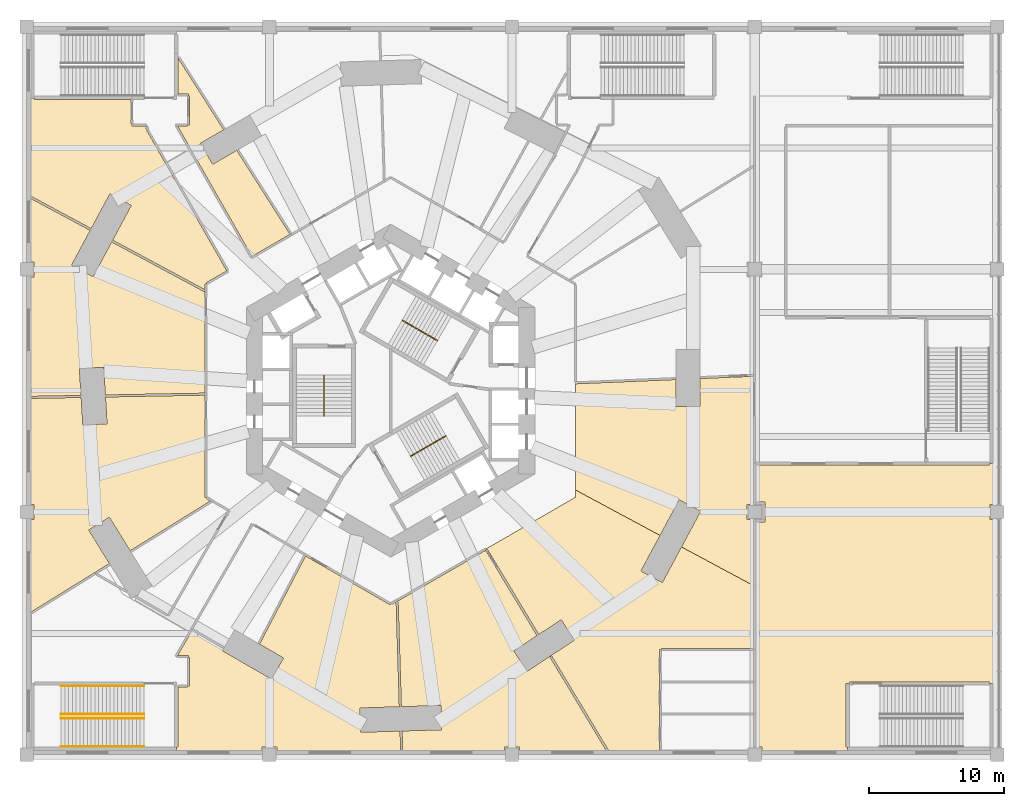
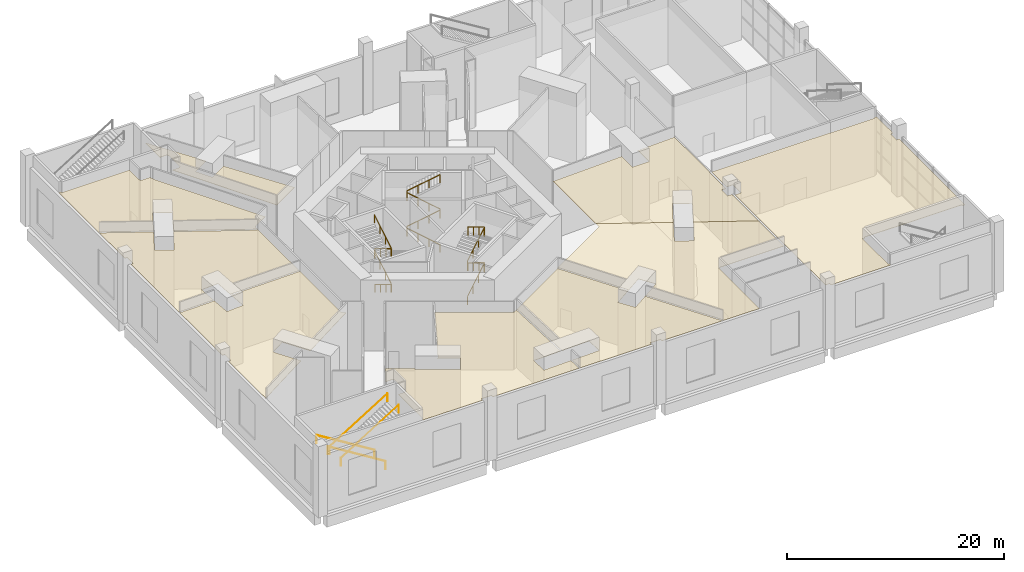
# One storey, part 14 of 15: 9 coverings, 7 railings.
"""IFC4 building model written with IfcOpenShell, lengths in metres."""

from ifc_helpers import new_model, si_unit, direction, frame, origin, origin_2d, place, context, subcontext, project, spatial, polyline, circle, outline, extrude, material, layer, layer_set, type_object, element, save


model = new_model("IFC4")

# Units and contexts
model_context = context("Model", 3, precision=1e-05, world=origin(), true_north=direction((0.0, 1.0)))
body_context = subcontext(model_context, "Body", "Model", "MODEL_VIEW")
ifc_project = project(units=[si_unit("LENGTHUNIT", "METRE"), si_unit("AREAUNIT", "SQUARE_METRE"), si_unit("VOLUMEUNIT", "CUBIC_METRE"), si_unit("PLANEANGLEUNIT", "RADIAN"), si_unit("MASSUNIT", "GRAM", prefix="KILO")], contexts=[model_context])

# Site, building, storey
site_placement = place(None, origin())
site = spatial("IfcSite", under=ifc_project, at=site_placement, CompositionType="ELEMENT")
building_placement = place(site_placement, origin())
building = spatial("IfcBuilding", under=site, at=building_placement, Name="Vanh Sen Convention Tower", CompositionType="ELEMENT")
storey_placement = place(building_placement, frame((0.0, 0.0, 21.0)))
storey = spatial("IfcBuildingStorey", under=building, at=storey_placement, Name="L03", CompositionType="ELEMENT", Elevation=21.0)

# Railings
ifc_material_1 = material(Name="Stainless steel", Category="steel")
railing_type_1 = type_object("IfcRailingType", Name="Podium handrail 900", PredefinedType="HANDRAIL", material=ifc_material_1)
for number, where, name in (
    (1, (-18.300048828125, -21.89990234375, 0.173828125), "Handrail PS6 L03"),
    (2, (-18.300048828125, -24.0, 0.173828125), "Handrail PS6 L03"),
):
    element("IfcRailing", number, at=place(storey_placement, frame(where)), inside=storey, type_object=railing_type_1, Name=name, PredefinedType="HANDRAIL", context=body_context, shape_type="SweptSolid", body=[
        extrude(circle(Radius=0.02392578125, at=origin_2d()), frame((0.0, 0.0, 0.8759765625), z_axis=(-0.849468459523, 0.0, 0.527639399851), x_axis=(0.0, -1.0, 0.0)), (0.0, 0.0, 1.0), 7.25146484375),
        extrude(circle(Radius=0.02099609375, at=origin_2d()), origin(), (0.0, 0.0, 1.0), 0.851806640625),
        extrude(circle(Radius=0.02099609375, at=origin_2d()), frame((-6.159912109375, 0.0, 3.826171875)), (0.0, 0.0, 1.0), 0.851806640625),
    ])
for number, where, name in (
    (3, (-24.4599609375, -26.39990234375, 4.173828125), "Handrail PS6 L03"),
    (4, (-24.4599609375, -24.300048828125, 4.173828125), "Handrail PS6 L03"),
):
    element("IfcRailing", number, at=place(storey_placement, frame(where)), inside=storey, type_object=railing_type_1, Name=name, PredefinedType="HANDRAIL", context=body_context, shape_type="SweptSolid", body=[
        extrude(circle(Radius=0.02392578125, at=origin_2d()), frame((0.0, 0.0, 0.8759765625), z_axis=(0.849468459523, 0.0, 0.527639399851), x_axis=(0.0, 1.0, 0.0)), (0.0, 0.0, 1.0), 7.25146484375),
        extrude(circle(Radius=0.02099609375, at=origin_2d()), origin(), (0.0, 0.0, 1.0), 0.851806640625),
        extrude(circle(Radius=0.02099609375, at=origin_2d()), frame((6.159912109375, 0.0, 3.826171875)), (0.0, 0.0, 1.0), 0.851806640625),
    ])
ifc_material_2 = material(Name="Stainless steel handrail", Category="steel")
railing_type_2 = type_object("IfcRailingType", Name="Stair handrail 900", PredefinedType="HANDRAIL", material=ifc_material_2)
railing_1_placement = place(storey_placement, frame((3.45849609375, 3.690185546875, 0.166748046875)))
element("IfcRailing", 5, at=railing_1_placement, inside=storey, type_object=railing_type_2, Name="Stair handrail ST1 L03", PredefinedType="HANDRAIL", context=body_context, shape_type="SweptSolid", body=[
    extrude(circle(Radius=0.02392578125, at=origin_2d()), frame((0.0, 0.0, 0.8759765625), z_axis=(-0.740654910014, 0.427579644724, 0.518272082685), x_axis=(-0.49996696679, -0.866044474677, 0.0)), (0.0, 0.0, 1.0), 3.537353515625),
    extrude(circle(Radius=0.02392578125, at=origin_2d()), frame((-2.619873046875, 1.512451171875, 2.708984375), z_axis=(0.500844580232, 0.86553723574, 0.0), x_axis=(-0.86553723574, 0.500844580232, 0.0)), (0.0, 0.0, 1.0), 0.05029296875),
    extrude(circle(Radius=0.02392578125, at=origin_2d()), frame((-2.5947265625, 1.555908203125, 2.708984375), z_axis=(0.0, 0.0, 1.0), x_axis=(1.0, 0.0, 0.0)), (0.0, 0.0, 1.0), 0.166748046875),
    extrude(circle(Radius=0.02392578125, at=origin_2d()), frame((-2.5947265625, 1.555908203125, 2.8759765625), z_axis=(0.740601889828, -0.427657903949, 0.518283279657), x_axis=(0.500062442642, 0.865989349507, 0.0)), (0.0, 0.0, 1.0), 3.537109375),
    extrude(circle(Radius=0.02392578125, at=origin_2d()), frame((0.02490234375, 0.043212890625, 4.708984375), z_axis=(-0.499298623879, -0.866429964967, 0.0), x_axis=(0.866429964967, -0.499298623879, 0.0)), (0.0, 0.0, 1.0), 0.0498046875),
    extrude(circle(Radius=0.02392578125, at=origin_2d()), frame((0.0, 0.0, 4.708984375), z_axis=(0.0, 0.0, 1.0), x_axis=(1.0, 0.0, 0.0)), (0.0, 0.0, 1.0), 0.166748046875),
    extrude(circle(Radius=0.02392578125, at=origin_2d()), frame((0.0, 0.0, 4.8759765625), z_axis=(-0.740654910014, 0.427579644724, 0.518272082685), x_axis=(-0.49996696679, -0.866044474677, 0.0)), (0.0, 0.0, 1.0), 3.537353515625),
    extrude(circle(Radius=0.02392578125, at=origin_2d()), frame((-2.619873046875, 1.512451171875, 6.708984375), z_axis=(0.500844580232, 0.86553723574, 0.0), x_axis=(-0.86553723574, 0.500844580232, 0.0)), (0.0, 0.0, 1.0), 0.05029296875),
    extrude(circle(Radius=0.02392578125, at=origin_2d()), frame((-2.5947265625, 1.555908203125, 6.708984375), z_axis=(0.0, 0.0, 1.0), x_axis=(1.0, 0.0, 0.0)), (0.0, 0.0, 1.0), 0.166748046875),
    extrude(circle(Radius=0.02392578125, at=origin_2d()), frame((-2.5947265625, 1.555908203125, 6.8759765625), z_axis=(0.740601889828, -0.427657903949, 0.518283279657), x_axis=(0.500062442642, 0.865989349507, 0.0)), (0.0, 0.0, 1.0), 3.537109375),
    extrude(circle(Radius=0.02099609375, at=origin_2d()), origin(), (0.0, 0.0, 1.0), 0.851806640625),
    extrude(circle(Radius=0.02099609375, at=origin_2d()), frame((-0.873291015625, 0.504150390625, 0.611083984375)), (0.0, 0.0, 1.0), 0.851806640625),
    extrude(circle(Radius=0.02099609375, at=origin_2d()), frame((-1.74658203125, 1.00830078125, 1.22216796875)), (0.0, 0.0, 1.0), 0.851806640625),
    extrude(circle(Radius=0.02099609375, at=origin_2d()), frame((-2.619873046875, 1.512451171875, 1.833251953125)), (0.0, 0.0, 1.0), 0.851806640625),
    extrude(circle(Radius=0.02099609375, at=origin_2d()), frame((-2.5947265625, 1.555908203125, 1.833251953125)), (0.0, 0.0, 1.0), 0.851806640625),
    extrude(circle(Radius=0.02099609375, at=origin_2d()), frame((-2.5947265625, 1.555908203125, 2.0)), (0.0, 0.0, 1.0), 0.851806640625),
    extrude(circle(Radius=0.02099609375, at=origin_2d()), frame((-1.721435546875, 1.0517578125, 2.611083984375)), (0.0, 0.0, 1.0), 0.851806640625),
    extrude(circle(Radius=0.02099609375, at=origin_2d()), frame((-0.848388671875, 0.54736328125, 3.22216796875)), (0.0, 0.0, 1.0), 0.851806640625),
    extrude(circle(Radius=0.02099609375, at=origin_2d()), frame((0.02490234375, 0.043212890625, 3.833251953125)), (0.0, 0.0, 1.0), 0.851806640625),
    extrude(circle(Radius=0.02099609375, at=origin_2d()), frame((0.0, 0.0, 3.833251953125)), (0.0, 0.0, 1.0), 0.851806640625),
    extrude(circle(Radius=0.02099609375, at=origin_2d()), frame((0.0, 0.0, 4.0)), (0.0, 0.0, 1.0), 0.851806640625),
    extrude(circle(Radius=0.02099609375, at=origin_2d()), frame((-0.873291015625, 0.504150390625, 4.611083984375)), (0.0, 0.0, 1.0), 0.851806640625),
    extrude(circle(Radius=0.02099609375, at=origin_2d()), frame((-1.74658203125, 1.00830078125, 5.22216796875)), (0.0, 0.0, 1.0), 0.851806640625),
    extrude(circle(Radius=0.02099609375, at=origin_2d()), frame((-2.619873046875, 1.512451171875, 5.833251953125)), (0.0, 0.0, 1.0), 0.851806640625),
    extrude(circle(Radius=0.02099609375, at=origin_2d()), frame((-2.5947265625, 1.555908203125, 5.833251953125)), (0.0, 0.0, 1.0), 0.851806640625),
    extrude(circle(Radius=0.02099609375, at=origin_2d()), frame((-2.5947265625, 1.555908203125, 6.0)), (0.0, 0.0, 1.0), 0.851806640625),
    extrude(circle(Radius=0.02099609375, at=origin_2d()), frame((-1.721435546875, 1.0517578125, 6.611083984375)), (0.0, 0.0, 1.0), 0.851806640625),
    extrude(circle(Radius=0.02099609375, at=origin_2d()), frame((-0.848388671875, 0.54736328125, 7.22216796875)), (0.0, 0.0, 1.0), 0.851806640625),
    extrude(circle(Radius=0.02099609375, at=origin_2d()), frame((0.02490234375, 0.043212890625, 7.833251953125)), (0.0, 0.0, 1.0), 0.851806640625),
])
railing_2_placement = place(storey_placement, frame((-4.925048828125, 1.14990234375, 0.166748046875)))
element("IfcRailing", 6, at=railing_2_placement, inside=storey, type_object=railing_type_2, Name="Stair handrail ST2 L03", PredefinedType="HANDRAIL", context=body_context, shape_type="SweptSolid", body=[
    extrude(circle(Radius=0.02392578125, at=origin_2d()), frame((0.0, 0.0, 0.8759765625), z_axis=(0.0, -0.855200612876, 0.518297126884), x_axis=(1.0, 0.0, 0.0)), (0.0, 0.0, 1.0), 3.537109375),
    extrude(circle(Radius=0.02392578125, at=origin_2d()), frame((0.0, -3.02490234375, 2.708984375), z_axis=(-1.0, 0.0, 0.0), x_axis=(0.0, -1.0, 0.0)), (0.0, 0.0, 1.0), 0.050048828125),
    extrude(circle(Radius=0.02392578125, at=origin_2d()), frame((-0.050048828125, -3.02490234375, 2.708984375), z_axis=(0.0, 0.0, 1.0), x_axis=(1.0, 0.0, 0.0)), (0.0, 0.0, 1.0), 0.166748046875),
    extrude(circle(Radius=0.02392578125, at=origin_2d()), frame((-0.050048828125, -3.02490234375, 2.8759765625), z_axis=(0.0, 0.855200612876, 0.518297126884), x_axis=(-1.0, 0.0, 0.0)), (0.0, 0.0, 1.0), 3.537109375),
    extrude(circle(Radius=0.02392578125, at=origin_2d()), frame((-0.050048828125, 0.0, 4.708984375), z_axis=(1.0, 0.0, 0.0), x_axis=(0.0, 1.0, 0.0)), (0.0, 0.0, 1.0), 0.050048828125),
    extrude(circle(Radius=0.02392578125, at=origin_2d()), frame((0.0, 0.0, 4.708984375), z_axis=(0.0, 0.0, 1.0), x_axis=(1.0, 0.0, 0.0)), (0.0, 0.0, 1.0), 0.166748046875),
    extrude(circle(Radius=0.02392578125, at=origin_2d()), frame((0.0, 0.0, 4.8759765625), z_axis=(0.0, -0.855200612876, 0.518297126884), x_axis=(1.0, 0.0, 0.0)), (0.0, 0.0, 1.0), 3.537109375),
    extrude(circle(Radius=0.02392578125, at=origin_2d()), frame((0.0, -3.02490234375, 6.708984375), z_axis=(-1.0, 0.0, 0.0), x_axis=(0.0, -1.0, 0.0)), (0.0, 0.0, 1.0), 0.050048828125),
    extrude(circle(Radius=0.02392578125, at=origin_2d()), frame((-0.050048828125, -3.02490234375, 6.708984375), z_axis=(0.0, 0.0, 1.0), x_axis=(1.0, 0.0, 0.0)), (0.0, 0.0, 1.0), 0.166748046875),
    extrude(circle(Radius=0.02392578125, at=origin_2d()), frame((-0.050048828125, -3.02490234375, 6.8759765625), z_axis=(0.0, 0.855200612876, 0.518297126884), x_axis=(-1.0, 0.0, 0.0)), (0.0, 0.0, 1.0), 3.537109375),
    extrude(circle(Radius=0.02099609375, at=origin_2d()), origin(), (0.0, 0.0, 1.0), 0.851806640625),
    extrude(circle(Radius=0.02099609375, at=origin_2d()), frame((0.0, -1.00830078125, 0.611083984375)), (0.0, 0.0, 1.0), 0.851806640625),
    extrude(circle(Radius=0.02099609375, at=origin_2d()), frame((0.0, -2.0166015625, 1.22216796875)), (0.0, 0.0, 1.0), 0.851806640625),
    extrude(circle(Radius=0.02099609375, at=origin_2d()), frame((0.0, -3.02490234375, 1.833251953125)), (0.0, 0.0, 1.0), 0.851806640625),
    extrude(circle(Radius=0.02099609375, at=origin_2d()), frame((-0.050048828125, -3.02490234375, 1.833251953125)), (0.0, 0.0, 1.0), 0.851806640625),
    extrude(circle(Radius=0.02099609375, at=origin_2d()), frame((-0.050048828125, -3.02490234375, 2.0)), (0.0, 0.0, 1.0), 0.851806640625),
    extrude(circle(Radius=0.02099609375, at=origin_2d()), frame((-0.050048828125, -2.0166015625, 2.611083984375)), (0.0, 0.0, 1.0), 0.851806640625),
    extrude(circle(Radius=0.02099609375, at=origin_2d()), frame((-0.050048828125, -1.00830078125, 3.22216796875)), (0.0, 0.0, 1.0), 0.851806640625),
    extrude(circle(Radius=0.02099609375, at=origin_2d()), frame((-0.050048828125, 0.0, 3.833251953125)), (0.0, 0.0, 1.0), 0.851806640625),
    extrude(circle(Radius=0.02099609375, at=origin_2d()), frame((0.0, 0.0, 3.833251953125)), (0.0, 0.0, 1.0), 0.851806640625),
    extrude(circle(Radius=0.02099609375, at=origin_2d()), frame((0.0, 0.0, 4.0)), (0.0, 0.0, 1.0), 0.851806640625),
    extrude(circle(Radius=0.02099609375, at=origin_2d()), frame((0.0, -1.00830078125, 4.611083984375)), (0.0, 0.0, 1.0), 0.851806640625),
    extrude(circle(Radius=0.02099609375, at=origin_2d()), frame((0.0, -2.0166015625, 5.22216796875)), (0.0, 0.0, 1.0), 0.851806640625),
    extrude(circle(Radius=0.02099609375, at=origin_2d()), frame((0.0, -3.02490234375, 5.833251953125)), (0.0, 0.0, 1.0), 0.851806640625),
    extrude(circle(Radius=0.02099609375, at=origin_2d()), frame((-0.050048828125, -3.02490234375, 5.833251953125)), (0.0, 0.0, 1.0), 0.851806640625),
    extrude(circle(Radius=0.02099609375, at=origin_2d()), frame((-0.050048828125, -3.02490234375, 6.0)), (0.0, 0.0, 1.0), 0.851806640625),
    extrude(circle(Radius=0.02099609375, at=origin_2d()), frame((-0.050048828125, -2.0166015625, 6.611083984375)), (0.0, 0.0, 1.0), 0.851806640625),
    extrude(circle(Radius=0.02099609375, at=origin_2d()), frame((-0.050048828125, -1.00830078125, 7.22216796875)), (0.0, 0.0, 1.0), 0.851806640625),
    extrude(circle(Radius=0.02099609375, at=origin_2d()), frame((-0.050048828125, 0.0, 7.833251953125)), (0.0, 0.0, 1.0), 0.851806640625),
])
railing_3_placement = place(storey_placement, frame((1.466552734375, -4.840087890625, 0.166748046875)))
element("IfcRailing", 7, at=railing_3_placement, inside=storey, type_object=railing_type_2, Name="Stair handrail ST3 L03", PredefinedType="HANDRAIL", context=body_context, shape_type="SweptSolid", body=[
    extrude(circle(Radius=0.02392578125, at=origin_2d()), frame((0.0, 0.0, 0.8759765625), z_axis=(0.74062374985, 0.427601503292, 0.518298577598), x_axis=(-0.500001913541, 0.866024298998, 0.0)), (0.0, 0.0, 1.0), 3.537109375),
    extrude(circle(Radius=0.02392578125, at=origin_2d()), frame((2.61962890625, 1.512451171875, 2.708984375), z_axis=(0.500844580232, -0.86553723574, 0.0), x_axis=(0.86553723574, 0.500844580232, 0.0)), (0.0, 0.0, 1.0), 0.05029296875),
    extrude(circle(Radius=0.02392578125, at=origin_2d()), frame((2.644775390625, 1.468994140625, 2.708984375), z_axis=(0.0, 0.0, 1.0), x_axis=(1.0, 0.0, 0.0)), (0.0, 0.0, 1.0), 0.166748046875),
    extrude(circle(Radius=0.02392578125, at=origin_2d()), frame((2.644775390625, 1.468994140625, 2.8759765625), z_axis=(-0.74062374985, -0.427601503292, 0.518298577598), x_axis=(0.500001913541, -0.866024298998, 0.0)), (0.0, 0.0, 1.0), 3.537109375),
    extrude(circle(Radius=0.02392578125, at=origin_2d()), frame((0.025146484375, -0.04345703125, 4.708984375), z_axis=(-0.500844580232, 0.86553723574, 0.0), x_axis=(-0.86553723574, -0.500844580232, 0.0)), (0.0, 0.0, 1.0), 0.05029296875),
    extrude(circle(Radius=0.02392578125, at=origin_2d()), frame((0.0, 0.0, 4.708984375), z_axis=(0.0, 0.0, 1.0), x_axis=(1.0, 0.0, 0.0)), (0.0, 0.0, 1.0), 0.166748046875),
    extrude(circle(Radius=0.02392578125, at=origin_2d()), frame((0.0, 0.0, 4.8759765625), z_axis=(0.74062374985, 0.427601503292, 0.518298577598), x_axis=(-0.500001913541, 0.866024298998, 0.0)), (0.0, 0.0, 1.0), 3.537109375),
    extrude(circle(Radius=0.02392578125, at=origin_2d()), frame((2.61962890625, 1.512451171875, 6.708984375), z_axis=(0.500844580232, -0.86553723574, 0.0), x_axis=(0.86553723574, 0.500844580232, 0.0)), (0.0, 0.0, 1.0), 0.05029296875),
    extrude(circle(Radius=0.02392578125, at=origin_2d()), frame((2.644775390625, 1.468994140625, 6.708984375), z_axis=(0.0, 0.0, 1.0), x_axis=(1.0, 0.0, 0.0)), (0.0, 0.0, 1.0), 0.166748046875),
    extrude(circle(Radius=0.02392578125, at=origin_2d()), frame((2.644775390625, 1.468994140625, 6.8759765625), z_axis=(-0.74062374985, -0.427601503292, 0.518298577598), x_axis=(0.500001913541, -0.866024298998, 0.0)), (0.0, 0.0, 1.0), 3.537109375),
    extrude(circle(Radius=0.02099609375, at=origin_2d()), origin(), (0.0, 0.0, 1.0), 0.851806640625),
    extrude(circle(Radius=0.02099609375, at=origin_2d()), frame((0.873291015625, 0.504150390625, 0.611083984375)), (0.0, 0.0, 1.0), 0.851806640625),
    extrude(circle(Radius=0.02099609375, at=origin_2d()), frame((1.746337890625, 1.00830078125, 1.22216796875)), (0.0, 0.0, 1.0), 0.851806640625),
    extrude(circle(Radius=0.02099609375, at=origin_2d()), frame((2.61962890625, 1.512451171875, 1.833251953125)), (0.0, 0.0, 1.0), 0.851806640625),
    extrude(circle(Radius=0.02099609375, at=origin_2d()), frame((2.644775390625, 1.468994140625, 1.833251953125)), (0.0, 0.0, 1.0), 0.851806640625),
    extrude(circle(Radius=0.02099609375, at=origin_2d()), frame((2.644775390625, 1.468994140625, 2.0)), (0.0, 0.0, 1.0), 0.851806640625),
    extrude(circle(Radius=0.02099609375, at=origin_2d()), frame((1.771484375, 0.96484375, 2.611083984375)), (0.0, 0.0, 1.0), 0.851806640625),
    extrude(circle(Radius=0.02099609375, at=origin_2d()), frame((0.8984375, 0.460693359375, 3.22216796875)), (0.0, 0.0, 1.0), 0.851806640625),
    extrude(circle(Radius=0.02099609375, at=origin_2d()), frame((0.025146484375, -0.04345703125, 3.833251953125)), (0.0, 0.0, 1.0), 0.851806640625),
    extrude(circle(Radius=0.02099609375, at=origin_2d()), frame((0.0, 0.0, 3.833251953125)), (0.0, 0.0, 1.0), 0.851806640625),
    extrude(circle(Radius=0.02099609375, at=origin_2d()), frame((0.0, 0.0, 4.0)), (0.0, 0.0, 1.0), 0.851806640625),
    extrude(circle(Radius=0.02099609375, at=origin_2d()), frame((0.873291015625, 0.504150390625, 4.611083984375)), (0.0, 0.0, 1.0), 0.851806640625),
    extrude(circle(Radius=0.02099609375, at=origin_2d()), frame((1.746337890625, 1.00830078125, 5.22216796875)), (0.0, 0.0, 1.0), 0.851806640625),
    extrude(circle(Radius=0.02099609375, at=origin_2d()), frame((2.61962890625, 1.512451171875, 5.833251953125)), (0.0, 0.0, 1.0), 0.851806640625),
    extrude(circle(Radius=0.02099609375, at=origin_2d()), frame((2.644775390625, 1.468994140625, 5.833251953125)), (0.0, 0.0, 1.0), 0.851806640625),
    extrude(circle(Radius=0.02099609375, at=origin_2d()), frame((2.644775390625, 1.468994140625, 6.0)), (0.0, 0.0, 1.0), 0.851806640625),
    extrude(circle(Radius=0.02099609375, at=origin_2d()), frame((1.771484375, 0.96484375, 6.611083984375)), (0.0, 0.0, 1.0), 0.851806640625),
    extrude(circle(Radius=0.02099609375, at=origin_2d()), frame((0.8984375, 0.460693359375, 7.22216796875)), (0.0, 0.0, 1.0), 0.851806640625),
    extrude(circle(Radius=0.02099609375, at=origin_2d()), frame((0.025146484375, -0.04345703125, 7.833251953125)), (0.0, 0.0, 1.0), 0.851806640625),
])

# Coverings
ifc_material_3 = material(Name="Mineral fibre tiles in a concealed grid")
ifc_layer = layer(ifc_material_3, 0.0400390625)
ifc_layer_set = layer_set([ifc_layer], Name="Mineral fibre tiles in a concealed grid")
covering_type = type_object("IfcCoveringType", Name="Suspended ceiling 600 x 600 tile", PredefinedType="CEILING", material=ifc_layer_set)
covering_1_placement = place(storey_placement, frame((0.0, 0.0, 6.4599609375)))
element("IfcCovering", 8, at=covering_1_placement, inside=storey, type_object=covering_type, Name="Suspended ceiling CL3 Banquet room", PredefinedType="CEILING", context=body_context, shape_type="SweptSolid", body=[
    extrude(outline(polyline([(44.699951171875, -21.72509765625), (44.699951171875, -9.550048828125), (44.449951171875, -9.550048828125), (44.449951171875, -8.449951171875), (44.699951171875, -8.449951171875), (44.699951171875, -5.39990234375), (44.43994140625, -5.39990234375), (44.43994140625, -5.52490234375), (39.72509765625, -5.52490234375), (39.72509765625, -5.5), (27.10009765625, -5.5), (27.10009765625, -8.25), (27.751953125, -8.25), (27.751953125, -8.449951171875), (27.751953125, -9.550048828125), (27.751953125, -9.75), (27.10009765625, -9.75), (27.10009765625, -14.507568359375), (27.10009765625, -19.199951171875), (27.10009765625, -21.60009765625), (27.10009765625, -24.0), (27.10009765625, -26.449951171875), (27.550048828125, -26.449951171875), (27.550048828125, -26.699951171875), (33.89990234375, -26.699951171875), (33.89990234375, -26.43994140625), (33.77490234375, -26.43994140625), (33.77490234375, -21.72509765625), (33.89990234375, -21.72509765625), (34.02490234375, -21.72509765625), (34.0400390625, -21.72509765625), (34.0400390625, -21.60009765625), (44.43994140625, -21.60009765625), (44.43994140625, -21.72509765625), (44.699951171875, -21.72509765625)])), origin(), (0.0, 0.0, 1.0), 0.0400390625),
])
covering_2_placement = place(storey_placement, frame((0.0, 0.0, 6.4599609375)))
element("IfcCovering", 9, at=covering_2_placement, inside=storey, type_object=covering_type, Name="Suspended ceiling CL3 Pre-function foyer", PredefinedType="CEILING", context=body_context, shape_type="SweptSolid", body=[
    extrude(outline(polyline([(13.699951171875, 0.58251953125), (13.699951171875, -7.361083984375), (19.98583984375, -10.73876953125), (21.40576171875, -8.095947265625), (22.991455078125, -8.947998046875), (21.5712890625, -11.5908203125), (26.89990234375, -14.4541015625), (26.89990234375, -9.550048828125), (26.449951171875, -9.550048828125), (26.449951171875, -8.449951171875), (26.89990234375, -8.449951171875), (26.89990234375, -5.39990234375), (26.925048828125, -5.39990234375), (26.925048828125, 1.14453125), (26.919921875, 1.14404296875), (26.923583984375, 1.069091796875), (22.952880859375, 0.90087890625), (22.949951171875, 0.9755859375), (22.949951171875, -1.162841796875), (21.14990234375, -1.162841796875), (21.14990234375, 0.824462890625), (13.702880859375, 0.507568359375), (13.699951171875, 0.58251953125)])), origin(), (0.0, 0.0, 1.0), 0.0400390625),
])
covering_3_placement = place(storey_placement, frame((0.0, 0.0, 6.4599609375)))
element("IfcCovering", 10, at=covering_3_placement, inside=storey, type_object=covering_type, Name="Suspended ceiling CL3 Business centre", PredefinedType="CEILING", context=body_context, shape_type="SweptSolid", body=[
    extrude(outline(polyline([(-26.43994140625, 21.60009765625), (-26.43994140625, 21.72509765625), (-26.699951171875, 21.72509765625), (-26.699951171875, 14.346435546875), (-26.66455078125, 14.41259765625), (-22.215576171875, 12.02197265625), (-20.8310546875, 14.5986328125), (-19.245361328125, 13.74658203125), (-20.6298828125, 11.169921875), (-13.77490234375, 7.487060546875), (-13.77490234375, 7.909423828125), (-13.699951171875, 7.909423828125), (-13.64794921875, 7.939453125), (-13.685546875, 8.00439453125), (-12.090087890625, 8.925537109375), (-12.052490234375, 8.860595703125), (-12.092041015625, 8.929931640625), (-12.157470703125, 8.89306640625), (-18.097900390625, 19.305419921875), (-18.032958984375, 19.342529296875), (-18.0380859375, 19.362060546875), (-18.110595703125, 19.342529296875), (-18.172607421875, 19.574951171875), (-18.10009765625, 19.594482421875), (-18.10009765625, 19.64990234375), (-19.199951171875, 19.64990234375), (-19.199951171875, 19.72509765625), (-19.199951171875, 19.800048828125), (-19.199951171875, 19.804931640625), (-19.27490234375, 19.804931640625), (-19.27490234375, 21.5849609375), (-19.199951171875, 21.5849609375), (-19.199951171875, 21.60009765625), (-26.43994140625, 21.60009765625)])), origin(), (0.0, 0.0, 1.0), 0.0400390625),
])
covering_4_placement = place(storey_placement, frame((0.0, 0.0, 6.4599609375)))
element("IfcCovering", 11, at=covering_4_placement, inside=storey, type_object=covering_type, Name="Suspended ceiling CL3 Business centre", PredefinedType="CEILING", context=body_context, shape_type="SweptSolid", body=[
    extrude(outline(polyline([(-11.4169921875, 17.826416015625), (-11.35400390625, 17.86669921875), (-13.205322265625, 16.7978515625), (-14.10546875, 18.356689453125), (-12.384521484375, 19.35009765625), (-15.77490234375, 24.68505859375), (-15.77490234375, 21.925048828125), (-15.760009765625, 21.925048828125), (-15.760009765625, 22.0), (-15.0, 22.0), (-15.0, 21.925048828125), (-15.0, 21.85009765625), (-15.0, 21.844970703125), (-14.925048828125, 21.844970703125), (-14.925048828125, 19.72509765625), (-15.0, 19.72509765625), (-15.074951171875, 19.72509765625), (-15.080078125, 19.72509765625), (-15.080078125, 19.64990234375), (-15.819580078125, 19.64990234375), (-10.294921875, 9.967041015625), (-10.360107421875, 9.929931640625), (-10.357421875, 9.925537109375), (-7.39501953125, 11.636962890625), (-7.3974609375, 11.64111328125), (-7.46044921875, 11.60107421875), (-11.4169921875, 17.826416015625)])), origin(), (0.0, 0.0, 1.0), 0.0400390625),
])
covering_5_placement = place(storey_placement, frame((0.0, 0.0, 6.4599609375)))
element("IfcCovering", 12, at=covering_5_placement, inside=storey, type_object=covering_type, Name="Suspended ceiling CL3 Meeting suite", PredefinedType="CEILING", context=body_context, shape_type="SweptSolid", body=[
    extrude(outline(polyline([(-13.781494140625, -0.181396484375), (-13.780029296875, -0.256591796875), (-13.77490234375, -0.256591796875), (-13.77490234375, -0.2548828125), (-13.77490234375, 7.361572265625), (-13.77490234375, 7.402099609375), (-13.805419921875, 7.41845703125), (-13.841064453125, 7.35205078125), (-20.70068359375, 11.037841796875), (-22.085205078125, 8.461181640625), (-23.6708984375, 9.313232421875), (-22.2509765625, 11.9560546875), (-22.2509765625, 11.9560546875), (-22.28662109375, 11.889892578125), (-26.699951171875, 14.261474609375), (-26.699951171875, 9.550048828125), (-26.449951171875, 9.550048828125), (-26.449951171875, 8.449951171875), (-26.699951171875, 8.449951171875), (-26.699951171875, -0.422119140625), (-22.97119140625, -0.3525390625), (-23.092529296875, 1.630615234375), (-21.2958984375, 1.740478515625), (-21.16552734375, -0.390380859375), (-21.1669921875, -0.319091796875), (-13.781494140625, -0.181396484375)])), origin(), (0.0, 0.0, 1.0), 0.0400390625),
])
covering_6_placement = place(storey_placement, frame((0.0, 0.0, 6.4599609375)))
element("IfcCovering", 13, at=covering_6_placement, inside=storey, type_object=covering_type, Name="Suspended ceiling CL3 Meeting suite", PredefinedType="CEILING", context=body_context, shape_type="SweptSolid", body=[
    extrude(outline(polyline([(-13.685546875, -8.00439453125), (-13.64794921875, -7.939453125), (-13.699951171875, -7.909423828125), (-13.77490234375, -7.909423828125), (-13.77490234375, -0.256591796875), (-13.780029296875, -0.256591796875), (-13.778564453125, -0.33154296875), (-21.160888671875, -0.468994140625), (-21.03955078125, -2.45166015625), (-22.836181640625, -2.5615234375), (-22.96630859375, -0.4306640625), (-22.965087890625, -0.50244140625), (-26.698486328125, -0.572021484375), (-26.699951171875, -0.4970703125), (-26.699951171875, -8.449951171875), (-26.449951171875, -8.449951171875), (-26.449951171875, -9.550048828125), (-26.699951171875, -9.550048828125), (-26.699951171875, -16.4345703125), (-21.952392578125, -13.49658203125), (-21.9130859375, -13.56005859375), (-21.908447265625, -13.5576171875), (-21.947998046875, -13.493408203125), (-20.86328125, -12.822021484375), (-22.402099609375, -10.3349609375), (-20.87158203125, -9.3876953125), (-19.31689453125, -11.900390625), (-19.33251953125, -11.875), (-13.37109375, -8.18603515625), (-13.685546875, -8.00439453125)])), origin(), (0.0, 0.0, 1.0), 0.0400390625),
])
covering_7_placement = place(storey_placement, frame((0.0, 0.0, 6.4599609375)))
element("IfcCovering", 14, at=covering_7_placement, inside=storey, type_object=covering_type, Name="Suspended ceiling CL3 Meeting suite", PredefinedType="CEILING", context=body_context, shape_type="SweptSolid", body=[
    extrude(outline(polyline([(0.696533203125, -25.250244140625), (-2.227294921875, -25.339599609375), (-2.2822265625, -23.540283203125), (0.6416015625, -23.450927734375), (0.404052734375, -15.673095703125), (0.089599609375, -15.8544921875), (0.052001953125, -15.78955078125), (0.0, -15.819580078125), (-0.03759765625, -15.884521484375), (-6.380615234375, -12.222412109375), (-6.382568359375, -12.2265625), (-6.31591796875, -12.261474609375), (-8.91455078125, -17.238037109375), (-9.343505859375, -18.06005859375), (-9.72998046875, -18.800537109375), (-9.794677734375, -18.76708984375), (-7.944580078125, -19.8349609375), (-8.8447265625, -21.393798828125), (-12.482177734375, -19.293701171875), (-12.383544921875, -19.123046875), (-12.39453125, -19.14208984375), (-14.734619140625, -17.791015625), (-14.695068359375, -17.721923828125), (-14.698974609375, -17.718994140625), (-14.700927734375, -17.722412109375), (-15.81591796875, -19.651611328125), (-15.0, -19.64990234375), (-15.0, -19.800048828125), (-15.0048828125, -19.800048828125), (-15.0048828125, -19.804931640625), (-14.925048828125, -19.804931640625), (-14.925048828125, -21.925048828125), (-15.074951171875, -21.925048828125), (-15.074951171875, -21.919921875), (-15.080078125, -21.919921875), (-15.080078125, -22.0), (-15.780029296875, -22.0), (-15.780029296875, -26.43994140625), (-15.905029296875, -26.43994140625), (-15.905029296875, -26.69189453125), (-15.905029296875, -26.6923828125), (-15.905029296875, -26.693115234375), (-15.905029296875, -26.693603515625), (-15.904541015625, -26.694091796875), (-15.904052734375, -26.695068359375), (-15.904052734375, -26.695556640625), (-15.904052734375, -26.696044921875), (-15.903564453125, -26.696533203125), (-15.903076171875, -26.697509765625), (-15.902587890625, -26.697998046875), (-15.902587890625, -26.698486328125), (-15.902099609375, -26.698974609375), (-15.90087890625, -26.699951171875), (-15.900390625, -26.700439453125), (-15.89990234375, -26.700927734375), (-15.89892578125, -26.701904296875), (-15.8984375, -26.702392578125), (-15.89794921875, -26.702392578125), (-15.8974609375, -26.702880859375), (-15.896484375, -26.70361328125), (-15.89599609375, -26.7041015625), (-15.8955078125, -26.7041015625), (-15.89501953125, -26.7041015625), (-15.89404296875, -26.70458984375), (-15.8935546875, -26.705078125), (-15.89306640625, -26.705078125), (-15.892578125, -26.705078125), (-15.89208984375, -26.705078125), (-13.9423828125, -26.705078125), (-13.94189453125, -26.705078125), (-13.94140625, -26.705078125), (-13.94091796875, -26.705078125), (-13.9404296875, -26.70458984375), (-13.939453125, -26.7041015625), (-13.93896484375, -26.7041015625), (-13.9384765625, -26.7041015625), (-13.93798828125, -26.70361328125), (-13.93701171875, -26.702880859375), (-13.9365234375, -26.702392578125), (-13.93603515625, -26.702392578125), (-13.935546875, -26.701904296875), (-13.9345703125, -26.700927734375), (-13.93408203125, -26.700439453125), (-13.93359375, -26.699951171875), (-9.550048828125, -26.699951171875), (-9.550048828125, -26.449951171875), (-8.449951171875, -26.449951171875), (-8.449951171875, -26.699951171875), (0.740966796875, -26.699951171875), (0.696533203125, -25.250244140625)])), origin(), (0.0, 0.0, 1.0), 0.0400390625),
])
covering_8_placement = place(storey_placement, frame((0.0, 0.0, 6.4599609375)))
element("IfcCovering", 15, at=covering_8_placement, inside=storey, type_object=covering_type, Name="Suspended ceiling CL3 Meeting suite", PredefinedType="CEILING", context=body_context, shape_type="SweptSolid", body=[
    extrude(outline(polyline([(0.89111328125, -26.697509765625), (0.81591796875, -26.699951171875), (8.449951171875, -26.699951171875), (8.449951171875, -26.449951171875), (9.550048828125, -26.449951171875), (9.550048828125, -26.699951171875), (15.99755859375, -26.699951171875), (11.8154296875, -19.758056640625), (11.87939453125, -19.719482421875), (11.853515625, -19.67626953125), (10.13427734375, -20.814208984375), (9.140625, -19.31298828125), (10.923583984375, -18.133056640625), (10.923583984375, -18.133056640625), (10.859619140625, -18.17138671875), (7.047607421875, -11.844482421875), (7.112060546875, -11.805419921875), (7.070556640625, -11.737060546875), (7.10791015625, -11.802001953125), (0.512451171875, -15.610107421875), (0.4775390625, -15.630615234375), (0.478515625, -15.6650390625), (0.553466796875, -15.6630859375), (0.79150390625, -23.4462890625), (3.715087890625, -23.357177734375), (3.77001953125, -25.15625), (0.846435546875, -25.24560546875), (0.89111328125, -26.697509765625)])), origin(), (0.0, 0.0, 1.0), 0.0400390625),
])
covering_9_placement = place(storey_placement, frame((0.0, 0.0, 6.4599609375)))
element("IfcCovering", 16, at=covering_9_placement, inside=storey, type_object=covering_type, Name="Suspended ceiling CL3 Pre-function foyer", PredefinedType="CEILING", context=body_context, shape_type="SweptSolid", body=[
    extrude(outline(polyline([(20.0, -19.199951171875), (20.074951171875, -19.199951171875), (20.080078125, -19.199951171875), (20.080078125, -19.125), (26.89990234375, -19.125), (26.89990234375, -14.507568359375), (26.89990234375, -14.4541015625), (21.5712890625, -11.5908203125), (20.1513671875, -14.2333984375), (18.56591796875, -13.38134765625), (19.98583984375, -10.73876953125), (13.699951171875, -7.361083984375), (13.699951171875, -7.909423828125), (7.070556640625, -11.737060546875), (7.112060546875, -11.805419921875), (7.176025390625, -11.76708984375), (10.986328125, -18.09130859375), (12.64306640625, -16.994873046875), (13.636474609375, -18.495849609375), (11.853515625, -19.67626953125), (11.87939453125, -19.719482421875), (11.943603515625, -19.680908203125), (16.14892578125, -26.66162109375), (16.0849609375, -26.699951171875), (19.925048828125, -26.699951171875), (19.925048828125, -24.0), (19.925048828125, -21.60009765625), (19.925048828125, -19.199951171875), (20.0, -19.199951171875)])), origin(), (0.0, 0.0, 1.0), 0.0400390625),
])

save(model, "model.ifc")
